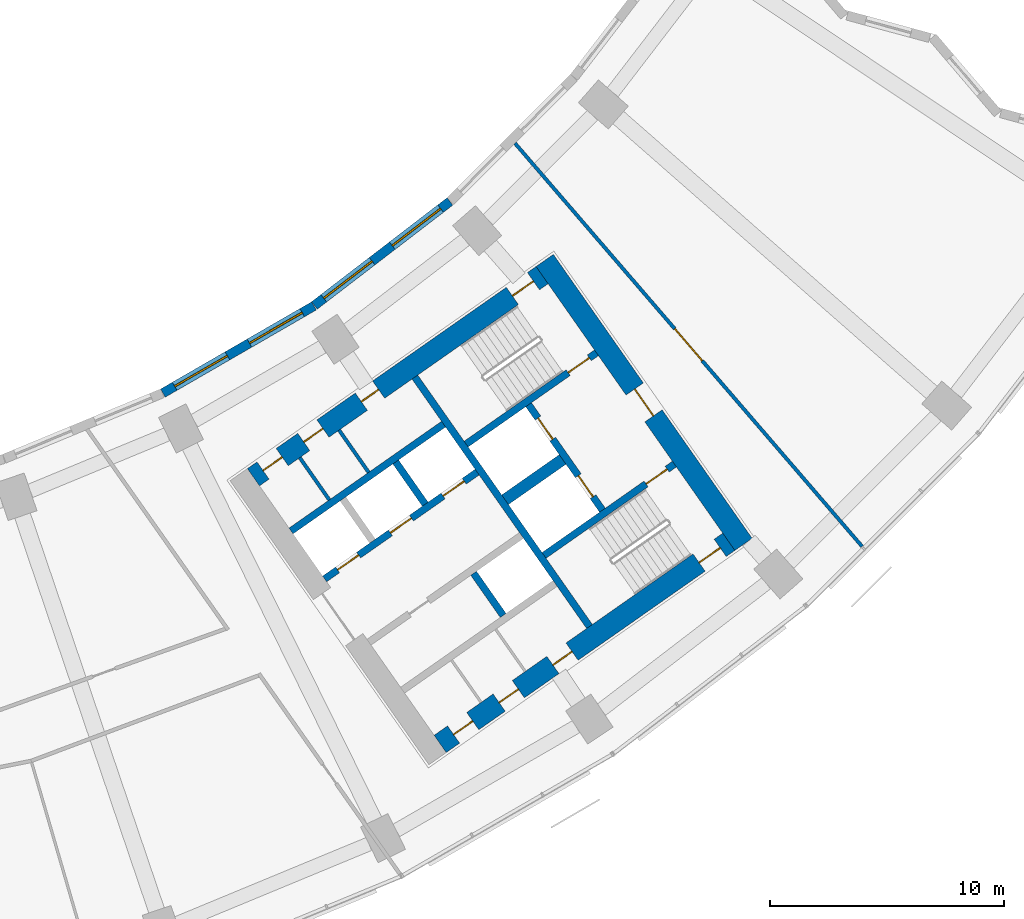
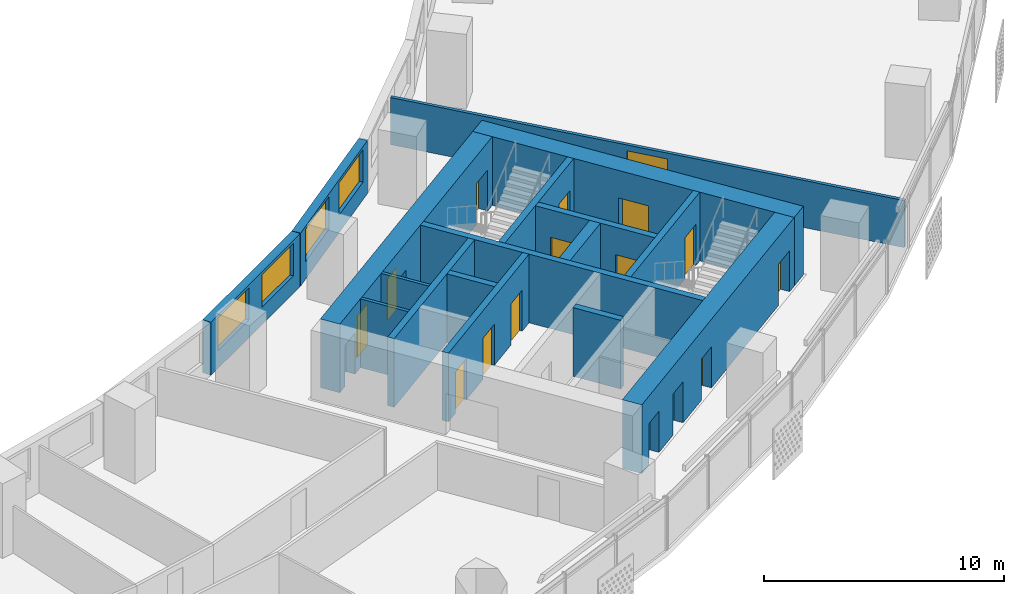
# One storey, part 7 of 29: 17 doors, 17 walls, 4 windows, 21 openings.
"""IFC4 building model written with IfcOpenShell, lengths in metres."""

from ifc_helpers import new_model, si_unit, direction, frame, frame_2d, origin, place, context, subcontext, project, spatial, rectangle, extrude, material, layer, layer_set, type_object, element, fill, save


model = new_model("IFC4")

# Units and contexts
model_context = context("Model", 3, precision=1e-05, world=origin(), true_north=direction((0.0, 1.0)))
body_context = subcontext(model_context, "Body", "Model", "MODEL_VIEW")
ifc_project = project(units=[si_unit("LENGTHUNIT", "METRE"), si_unit("AREAUNIT", "SQUARE_METRE"), si_unit("VOLUMEUNIT", "CUBIC_METRE"), si_unit("PLANEANGLEUNIT", "RADIAN"), si_unit("MASSUNIT", "GRAM", prefix="KILO")], contexts=[model_context])

# Site, building, storey
site_placement = place(None, origin())
site = spatial("IfcSite", under=ifc_project, at=site_placement, CompositionType="ELEMENT")
building_placement = place(site_placement, origin())
building = spatial("IfcBuilding", under=site, at=building_placement, Name="Qamariyya Broadcast Tower", CompositionType="ELEMENT")
storey_placement = place(building_placement, frame((0.0, 0.0, 44.300048828125)))
storey = spatial("IfcBuildingStorey", under=building, at=storey_placement, Name="L07", CompositionType="ELEMENT", Elevation=44.300048828125)

# Wall, opening, door
ifc_material_1 = material(Name="Concrete C70/85", Category="concrete")
ifc_layer_1 = layer(ifc_material_1, 0.89990234375)
ifc_layer_set_1 = layer_set([ifc_layer_1], Name="Core wall 900 mm Concrete C70/85")
wall_type_1 = type_object("IfcWallType", Name="Core wall 900 mm Concrete C70/85", PredefinedType="SHEAR", material=ifc_layer_set_1)
wall_1_placement = place(storey_placement, frame((49.778564453125, -57.191162109375, 0.0), z_axis=(0.0, 0.0, 1.0), x_axis=(-0.573577477574, 0.819151315216, 0.0)))
wall_1 = element("IfcWall", 1, at=wall_1_placement, inside=storey, type_object=wall_type_1, Name="k-E-L07-WH", PredefinedType="SHEAR", context=body_context, shape_type="SweptSolid", body=[
    extrude(rectangle(XDim=14.800048828125, YDim=0.89990234375, at=frame_2d((7.39990234375, 0.0))), origin(), (0.0, 0.0, 1.0), 3.5),
])
opening_1_placement = place(wall_1_placement, frame((6.699951171875, 0.0, 0.0)))
opening_1 = element("IfcOpeningElement", 2, at=opening_1_placement, cuts=wall_1, Name="Opening KD2-E1", PredefinedType="OPENING", context=body_context, shape_type="SweptSolid", body=[
    extrude(rectangle(XDim=1.39990234375, YDim=2.10009765625, at=frame_2d((0.699951171875, 1.050048828125))), frame((0.0, 0.4599609375, 0.0), z_axis=(0.0, -1.0, 0.0), x_axis=(1.0, 0.0, 0.0)), (0.0, 0.0, 1.0), 0.919921875),
])
ifc_material_2 = material(Name="Steel fire-resisting door leaf", Category="steel")
door_type_1 = type_object("IfcDoorType", Name="Fire-fighting lobby door KD2", OperationType="DOUBLE_DOOR_SINGLE_SWING", PredefinedType="DOOR", material=ifc_material_2)
door_1_placement = place(opening_1_placement, origin())
door_1 = element("IfcDoor", 3, at=door_1_placement, inside=storey, type_object=door_type_1, Name="k-E-L07-WH-D14", OperationType="DOUBLE_DOOR_SINGLE_SWING", OverallHeight=2.10009765625, OverallWidth=1.39990234375, PredefinedType="DOOR", context=body_context, shape_type="SweptSolid", body=[
    extrude(rectangle(XDim=1.39990234375, YDim=2.10009765625, at=frame_2d((0.699951171875, 1.050048828125))), frame((0.0, 0.02490234375, 0.0), z_axis=(0.0, -1.0, 0.0), x_axis=(1.0, 0.0, 0.0)), (0.0, 0.0, 1.0), 0.050048828125),
])
fill(opening_1, door_1)

# Wall, openings, doors
wall_2_placement = place(storey_placement, frame((28.8544921875, -54.32421875, 0.0), z_axis=(0.0, 0.0, 1.0), x_axis=(0.819145767589, 0.573585400304, 0.0)))
wall_2 = element("IfcWall", 4, at=wall_2_placement, inside=storey, type_object=wall_type_1, Name="k-E-L07-WI", PredefinedType="SHEAR", context=body_context, shape_type="SweptSolid", body=[
    extrude(rectangle(XDim=15.04541015625, YDim=0.89990234375, at=frame_2d((7.522705078125, 0.0))), origin(), (0.0, 0.0, 1.0), 3.5),
])
opening_2_placement = place(wall_2_placement, frame((0.5, 0.0, 0.0)))
opening_2 = element("IfcOpeningElement", 5, at=opening_2_placement, cuts=wall_2, Name="Opening KD6-E2", PredefinedType="OPENING", context=body_context, shape_type="SweptSolid", body=[
    extrude(rectangle(XDim=1.0, YDim=2.10009765625, at=frame_2d((0.5, 1.050048828125))), frame((0.0, 0.4599609375, 0.0), z_axis=(0.0, -1.0, 0.0), x_axis=(1.0, 0.0, 0.0)), (0.0, 0.0, 1.0), 0.919921875),
])
opening_3_placement = place(wall_2_placement, frame((2.625, 0.0, 0.0)))
opening_3 = element("IfcOpeningElement", 6, at=opening_3_placement, cuts=wall_2, Name="Opening KD7-E1", PredefinedType="OPENING", context=body_context, shape_type="SweptSolid", body=[
    extrude(rectangle(XDim=1.0, YDim=2.10009765625, at=frame_2d((0.5, 1.050048828125))), frame((0.0, 0.4599609375, 0.0), z_axis=(0.0, -1.0, 0.0), x_axis=(1.0, 0.0, 0.0)), (0.0, 0.0, 1.0), 0.919921875),
])
opening_4_placement = place(wall_2_placement, frame((5.625, 0.0, 0.0)))
opening_4 = element("IfcOpeningElement", 7, at=opening_4_placement, cuts=wall_2, Name="Opening KD5-E1", PredefinedType="OPENING", context=body_context, shape_type="SweptSolid", body=[
    extrude(rectangle(XDim=0.89990234375, YDim=2.10009765625, at=frame_2d((0.449951171875, 1.050048828125))), frame((0.0, 0.4599609375, 0.0), z_axis=(0.0, -1.0, 0.0), x_axis=(1.0, 0.0, 0.0)), (0.0, 0.0, 1.0), 0.919921875),
])
opening_5_placement = place(wall_2_placement, frame((13.495361328125, 0.0, 0.0)))
opening_5 = element("IfcOpeningElement", 8, at=opening_5_placement, cuts=wall_2, Name="Opening KD1-E1", PredefinedType="OPENING", context=body_context, shape_type="SweptSolid", body=[
    extrude(rectangle(XDim=1.10009765625, YDim=2.10009765625, at=frame_2d((0.550048828125, 1.050048828125))), frame((0.0, 0.4599609375, 0.0), z_axis=(0.0, -1.0, 0.0), x_axis=(1.0, 0.0, 0.0)), (0.0, 0.0, 1.0), 0.919921875),
])
door_type_2 = type_object("IfcDoorType", Name="Accessible toilet door KD7", OperationType="SINGLE_SWING_LEFT", PredefinedType="DOOR", material=ifc_material_2)
door_2_placement = place(opening_3_placement, origin())
door_2 = element("IfcDoor", 9, at=door_2_placement, inside=storey, type_object=door_type_2, Name="k-E-L07-WI-D7", OperationType="SINGLE_SWING_LEFT", OverallHeight=2.10009765625, OverallWidth=1.0, PredefinedType="DOOR", context=body_context, shape_type="SweptSolid", body=[
    extrude(rectangle(XDim=1.0, YDim=2.10009765625, at=frame_2d((0.5, 1.050048828125))), frame((0.0, 0.02490234375, 0.0), z_axis=(0.0, -1.0, 0.0), x_axis=(1.0, 0.0, 0.0)), (0.0, 0.0, 1.0), 0.050048828125),
])
fill(opening_3, door_2)
door_type_3 = type_object("IfcDoorType", Name="Core room door KD6", OperationType="SINGLE_SWING_LEFT", PredefinedType="DOOR", material=ifc_material_2)
door_3_placement = place(opening_2_placement, origin())
door_3 = element("IfcDoor", 10, at=door_3_placement, inside=storey, type_object=door_type_3, Name="k-E-L07-WI-D6", OperationType="SINGLE_SWING_RIGHT", OverallHeight=2.10009765625, OverallWidth=1.0, PredefinedType="DOOR", context=body_context, shape_type="SweptSolid", body=[
    extrude(rectangle(XDim=1.0, YDim=2.10009765625, at=frame_2d((0.5, 1.050048828125))), frame((0.0, 0.02490234375, 0.0), z_axis=(0.0, -1.0, 0.0), x_axis=(1.0, 0.0, 0.0)), (0.0, 0.0, 1.0), 0.050048828125),
])
fill(opening_2, door_3)
door_type_4 = type_object("IfcDoorType", Name="Stair door KD1", OperationType="SINGLE_SWING_LEFT", PredefinedType="DOOR", material=ifc_material_2)
door_4_placement = place(opening_5_placement, origin())
door_4 = element("IfcDoor", 11, at=door_4_placement, inside=storey, type_object=door_type_4, Name="k-E-L07-WI-D15", OperationType="SINGLE_SWING_RIGHT", OverallHeight=2.10009765625, OverallWidth=1.10009765625, PredefinedType="DOOR", context=body_context, shape_type="SweptSolid", body=[
    extrude(rectangle(XDim=1.10009765625, YDim=2.10009765625, at=frame_2d((0.550048828125, 1.050048828125))), frame((0.0, 0.02490234375, 0.0), z_axis=(0.0, -1.0, 0.0), x_axis=(1.0, 0.0, 0.0)), (0.0, 0.0, 1.0), 0.050048828125),
])
fill(opening_5, door_4)
door_type_5 = type_object("IfcDoorType", Name="Toilet door KD5", OperationType="SINGLE_SWING_LEFT", PredefinedType="DOOR", material=ifc_material_2)
door_5_placement = place(opening_4_placement, origin())
door_5 = element("IfcDoor", 12, at=door_5_placement, inside=storey, type_object=door_type_5, Name="k-E-L07-WI-D8", OperationType="SINGLE_SWING_RIGHT", OverallHeight=2.10009765625, OverallWidth=0.89990234375, PredefinedType="DOOR", context=body_context, shape_type="SweptSolid", body=[
    extrude(rectangle(XDim=0.89990234375, YDim=2.10009765625, at=frame_2d((0.449951171875, 1.050048828125))), frame((0.0, 0.02490234375, 0.0), z_axis=(0.0, -1.0, 0.0), x_axis=(1.0, 0.0, 0.0)), (0.0, 0.0, 1.0), 0.050048828125),
])
fill(opening_4, door_5)

wall_3_placement = place(storey_placement, frame((36.827392578125, -65.710205078125, 0.0), z_axis=(0.0, 0.0, 1.0), x_axis=(0.819153391756, 0.573574511963, 0.0)))
wall_3 = element("IfcWall", 13, at=wall_3_placement, inside=storey, type_object=wall_type_1, Name="k-E-L07-WO", PredefinedType="SHEAR", context=body_context, shape_type="SweptSolid", body=[
    extrude(rectangle(XDim=15.04541015625, YDim=0.89990234375, at=frame_2d((7.522705078125, 0.0))), origin(), (0.0, 0.0, 1.0), 3.5),
])
opening_6_placement = place(wall_3_placement, frame((0.699951171875, 0.0, 0.0)))
opening_6 = element("IfcOpeningElement", 14, at=opening_6_placement, cuts=wall_3, Name="Opening KD6-E3", PredefinedType="OPENING", context=body_context, shape_type="SweptSolid", body=[
    extrude(rectangle(XDim=1.0, YDim=2.10009765625, at=frame_2d((0.5, 1.050048828125))), frame((0.0, 0.4599609375, 0.0), z_axis=(0.0, -1.0, 0.0), x_axis=(1.0, 0.0, 0.0)), (0.0, 0.0, 1.0), 0.919921875),
])
opening_7_placement = place(wall_3_placement, frame((3.074951171875, 0.0, 0.0)))
opening_7 = element("IfcOpeningElement", 15, at=opening_7_placement, cuts=wall_3, Name="Opening KD4-E1", PredefinedType="OPENING", context=body_context, shape_type="SweptSolid", body=[
    extrude(rectangle(XDim=1.0, YDim=2.10009765625, at=frame_2d((0.5, 1.050048828125))), frame((0.0, 0.4599609375, 0.0), z_axis=(0.0, -1.0, 0.0), x_axis=(1.0, 0.0, 0.0)), (0.0, 0.0, 1.0), 0.919921875),
])
opening_8_placement = place(wall_3_placement, frame((5.875, 0.0, 0.0)))
opening_8 = element("IfcOpeningElement", 16, at=opening_8_placement, cuts=wall_3, Name="Opening KD4-E2", PredefinedType="OPENING", context=body_context, shape_type="SweptSolid", body=[
    extrude(rectangle(XDim=1.0, YDim=2.10009765625, at=frame_2d((0.5, 1.050048828125))), frame((0.0, 0.4599609375, 0.0), z_axis=(0.0, -1.0, 0.0), x_axis=(1.0, 0.0, 0.0)), (0.0, 0.0, 1.0), 0.919921875),
])
opening_9_placement = place(wall_3_placement, frame((13.495361328125, 0.0, 0.0)))
opening_9 = element("IfcOpeningElement", 17, at=opening_9_placement, cuts=wall_3, Name="Opening KD1-E3", PredefinedType="OPENING", context=body_context, shape_type="SweptSolid", body=[
    extrude(rectangle(XDim=1.10009765625, YDim=2.10009765625, at=frame_2d((0.550048828125, 1.050048828125))), frame((0.0, 0.4599609375, 0.0), z_axis=(0.0, -1.0, 0.0), x_axis=(1.0, 0.0, 0.0)), (0.0, 0.0, 1.0), 0.919921875),
])
door_6_placement = place(opening_6_placement, origin())
door_6 = element("IfcDoor", 18, at=door_6_placement, inside=storey, type_object=door_type_3, Name="k-E-L07-WO-D9", OperationType="SINGLE_SWING_LEFT", OverallHeight=2.10009765625, OverallWidth=1.0, PredefinedType="DOOR", context=body_context, shape_type="SweptSolid", body=[
    extrude(rectangle(XDim=1.0, YDim=2.10009765625, at=frame_2d((0.5, 1.050048828125))), frame((0.0, 0.02490234375, 0.0), z_axis=(0.0, -1.0, 0.0), x_axis=(1.0, 0.0, 0.0)), (0.0, 0.0, 1.0), 0.050048828125),
])
fill(opening_6, door_6)
door_type_6 = type_object("IfcDoorType", Name="Riser and plant door KD4", OperationType="SINGLE_SWING_LEFT", PredefinedType="DOOR", material=ifc_material_2)
door_7_placement = place(opening_7_placement, origin())
door_7 = element("IfcDoor", 19, at=door_7_placement, inside=storey, type_object=door_type_6, Name="k-E-L07-WO-D10", OperationType="SINGLE_SWING_RIGHT", OverallHeight=2.10009765625, OverallWidth=1.0, PredefinedType="DOOR", context=body_context, shape_type="SweptSolid", body=[
    extrude(rectangle(XDim=1.0, YDim=2.10009765625, at=frame_2d((0.5, 1.050048828125))), frame((0.0, 0.02490234375, 0.0), z_axis=(0.0, -1.0, 0.0), x_axis=(1.0, 0.0, 0.0)), (0.0, 0.0, 1.0), 0.050048828125),
])
fill(opening_7, door_7)
door_8_placement = place(opening_8_placement, origin())
door_8 = element("IfcDoor", 20, at=door_8_placement, inside=storey, type_object=door_type_6, Name="k-E-L07-WO-D11", OperationType="SINGLE_SWING_LEFT", OverallHeight=2.10009765625, OverallWidth=1.0, PredefinedType="DOOR", context=body_context, shape_type="SweptSolid", body=[
    extrude(rectangle(XDim=1.0, YDim=2.10009765625, at=frame_2d((0.5, 1.050048828125))), frame((0.0, 0.02490234375, 0.0), z_axis=(0.0, -1.0, 0.0), x_axis=(1.0, 0.0, 0.0)), (0.0, 0.0, 1.0), 0.050048828125),
])
fill(opening_8, door_8)
door_9_placement = place(opening_9_placement, origin())
door_9 = element("IfcDoor", 21, at=door_9_placement, inside=storey, type_object=door_type_4, Name="k-E-L07-WO-D17", OperationType="SINGLE_SWING_LEFT", OverallHeight=2.10009765625, OverallWidth=1.10009765625, PredefinedType="DOOR", context=body_context, shape_type="SweptSolid", body=[
    extrude(rectangle(XDim=1.10009765625, YDim=2.10009765625, at=frame_2d((0.550048828125, 1.050048828125))), frame((0.0, 0.02490234375, 0.0), z_axis=(0.0, -1.0, 0.0), x_axis=(1.0, 0.0, 0.0)), (0.0, 0.0, 1.0), 0.050048828125),
])
fill(opening_9, door_9)

# Wall, opening, door
ifc_material_3 = material(Name="Gypsum board partition")
ifc_layer_2 = layer(ifc_material_3, 0.14990234375)
ifc_layer_set_2 = layer_set([ifc_layer_2], Name="Corridor partition 150 EI 60")
wall_type_2 = type_object("IfcWallType", Name="Corridor partition 150 EI 60", PredefinedType="PARTITIONING", material=ifc_layer_set_2)
wall_4_placement = place(storey_placement, frame((40.021240234375, -40.063232421875, 0.0), z_axis=(0.0, 0.0, 1.0), x_axis=(0.652471531746, -0.757813235739, 0.0)))
wall_4 = element("IfcWall", 22, at=wall_4_placement, inside=storey, type_object=wall_type_2, Name="Partition L07-033", PredefinedType="PARTITIONING", context=body_context, shape_type="SweptSolid", body=[
    extrude(rectangle(XDim=22.71484375, YDim=0.14990234375, at=frame_2d((11.357421875, 0.0))), origin(), (0.0, 0.0, 1.0), 2.39990234375),
])
opening_10_placement = place(wall_4_placement, frame((10.45751953125, 0.0, 0.0)))
opening_10 = element("IfcOpeningElement", 23, at=opening_10_placement, cuts=wall_4, Name="Opening L07-D16", PredefinedType="OPENING", context=body_context, shape_type="SweptSolid", body=[
    extrude(rectangle(XDim=1.800048828125, YDim=2.10009765625, at=frame_2d((0.89990234375, 1.050048828125))), frame((0.0, 0.0849609375, 0.0), z_axis=(0.0, -1.0, 0.0), x_axis=(1.0, 0.0, 0.0)), (0.0, 0.0, 1.0), 0.169921875),
])
ifc_material_4 = material(Name="Timber fire door leaf", Category="wood")
door_type_7 = type_object("IfcDoorType", Name="Double fire door 1800 x 2100 FD60", OperationType="NOTDEFINED", PredefinedType="DOOR", material=ifc_material_4)
door_10_placement = place(opening_10_placement, origin())
door_10 = element("IfcDoor", 24, at=door_10_placement, inside=storey, type_object=door_type_7, Name="Door L07-D16", OperationType="DOUBLE_DOOR_SINGLE_SWING", OverallHeight=2.10009765625, OverallWidth=1.800048828125, PredefinedType="DOOR", context=body_context, shape_type="SweptSolid", body=[
    extrude(rectangle(XDim=1.800048828125, YDim=2.10009765625, at=frame_2d((0.89990234375, 1.050048828125))), frame((0.0, 0.02490234375, 0.0), z_axis=(0.0, -1.0, 0.0), x_axis=(1.0, 0.0, 0.0)), (0.0, 0.0, 1.0), 0.050048828125),
])
fill(opening_10, door_10)

# Walls
ifc_material_5 = material(Name="Concrete C60/75", Category="concrete")
ifc_layer_3 = layer(ifc_material_5, 0.5)
ifc_layer_set_3 = layer_set([ifc_layer_3], Name="Fire-fighting lobby divider wall 500 mm Concrete C60/75")
wall_type_3 = type_object("IfcWallType", Name="Fire-fighting lobby divider wall 500 mm Concrete C60/75", PredefinedType="SOLIDWALL", material=ifc_layer_set_3)
wall_5_placement = place(storey_placement, frame((39.59912109375, -55.28515625, 0.0), z_axis=(0.0, 0.0, 1.0), x_axis=(0.819136323161, 0.573598887793, 0.0)))
element("IfcWall", 25, at=wall_5_placement, inside=storey, type_object=wall_type_3, Name="k-E-L07-FD", PredefinedType="SOLIDWALL", context=body_context, shape_type="SweptSolid", body=[
    extrude(rectangle(XDim=2.999755859375, YDim=0.5, at=frame_2d((1.5, 0.0))), origin(), (0.0, 0.0, 1.0), 3.5),
])
ifc_material_6 = material(Name="Gypsum board partition on steel studs", Category="steel")
ifc_layer_4 = layer(ifc_material_6, 0.14990234375)
ifc_layer_set_4 = layer_set([ifc_layer_4], Name="Gypsum board partition 150 mm")
wall_type_4 = type_object("IfcWallType", Name="Gypsum board partition 150 mm", PredefinedType="PARTITIONING", material=ifc_layer_set_4)
wall_6_placement = place(storey_placement, frame((32.0947265625, -55.290283203125, 0.0), z_axis=(0.0, 0.0, 1.0), x_axis=(-0.573559170999, 0.819164133348, 0.0)))
element("IfcWall", 26, at=wall_6_placement, inside=storey, type_object=wall_type_4, Name="k-E-L07-NP210", PredefinedType="PARTITIONING", context=body_context, shape_type="SweptSolid", body=[
    extrude(rectangle(XDim=2.19970703125, YDim=0.14990234375, at=frame_2d((1.099853515625, 0.0))), origin(), (0.0, 0.0, 1.0), 3.5),
])
wall_7_placement = place(storey_placement, frame((33.774169921875, -54.114501953125, 0.0), z_axis=(0.0, 0.0, 1.0), x_axis=(-0.573581496053, 0.819148501424, 0.0)))
element("IfcWall", 27, at=wall_7_placement, inside=storey, type_object=wall_type_4, Name="k-E-L07-NP415", PredefinedType="PARTITIONING", context=body_context, shape_type="SweptSolid", body=[
    extrude(rectangle(XDim=2.2001953125, YDim=0.14990234375, at=frame_2d((1.10009765625, 0.0))), origin(), (0.0, 0.0, 1.0), 3.5),
])
ifc_layer_5 = layer(ifc_material_5, 0.300048828125)
ifc_layer_set_5 = layer_set([ifc_layer_5], Name="Lift shaft wall 300 mm Concrete C60/75")
wall_type_5 = type_object("IfcWallType", Name="Lift shaft wall 300 mm Concrete C60/75", PredefinedType="SOLIDWALL", material=ifc_layer_set_5)
wall_8_placement = place(storey_placement, frame((43.204345703125, -60.69580078125, 0.0), z_axis=(0.0, 0.0, 1.0), x_axis=(-0.573571992966, 0.819155155563, 0.0)))
element("IfcWall", 28, at=wall_8_placement, inside=storey, type_object=wall_type_5, Name="k-E-L07-WL", PredefinedType="SOLIDWALL", context=body_context, shape_type="SweptSolid", body=[
    extrude(rectangle(XDim=13.000244140625, YDim=0.300048828125, at=frame_2d((6.5, 0.0))), origin(), (0.0, 0.0, 1.0), 3.5),
])

# Wall, openings, doors
wall_9_placement = place(storey_placement, frame((31.89453125, -58.66552734375, 0.0), z_axis=(0.0, 0.0, 1.0), x_axis=(0.819166993208, 0.573555086491, 0.0)))
wall_9 = element("IfcWall", 29, at=wall_9_placement, inside=storey, type_object=wall_type_5, Name="k-E-L07-NF0", PredefinedType="SOLIDWALL", context=body_context, shape_type="SweptSolid", body=[
    extrude(rectangle(XDim=7.9501953125, YDim=0.300048828125, at=frame_2d((3.97509765625, 0.0))), origin(), (0.0, 0.0, 1.0), 3.5),
])
opening_11_placement = place(wall_9_placement, frame((0.675048828125, 0.0, 0.0)))
opening_11 = element("IfcOpeningElement", 30, at=opening_11_placement, cuts=wall_9, Name="Opening LD", PredefinedType="OPENING", context=body_context, shape_type="SweptSolid", body=[
    extrude(rectangle(XDim=1.10009765625, YDim=2.10009765625, at=frame_2d((0.550048828125, 1.050048828125))), frame((0.0, 0.159912109375, 0.0), z_axis=(0.0, -1.0, 0.0), x_axis=(1.0, 0.0, 0.0)), (0.0, 0.0, 1.0), 0.320068359375),
])
opening_12_placement = place(wall_9_placement, frame((3.425048828125, 0.0, 0.0)))
opening_12 = element("IfcOpeningElement", 31, at=opening_12_placement, cuts=wall_9, Name="Opening LD", PredefinedType="OPENING", context=body_context, shape_type="SweptSolid", body=[
    extrude(rectangle(XDim=1.10009765625, YDim=2.10009765625, at=frame_2d((0.550048828125, 1.050048828125))), frame((0.0, 0.159912109375, 0.0), z_axis=(0.0, -1.0, 0.0), x_axis=(1.0, 0.0, 0.0)), (0.0, 0.0, 1.0), 0.320068359375),
])
opening_13_placement = place(wall_9_placement, frame((6.175048828125, 0.0, 0.0)))
opening_13 = element("IfcOpeningElement", 32, at=opening_13_placement, cuts=wall_9, Name="Opening LD", PredefinedType="OPENING", context=body_context, shape_type="SweptSolid", body=[
    extrude(rectangle(XDim=1.10009765625, YDim=2.10009765625, at=frame_2d((0.550048828125, 1.050048828125))), frame((0.0, 0.159912109375, 0.0), z_axis=(0.0, -1.0, 0.0), x_axis=(1.0, 0.0, 0.0)), (0.0, 0.0, 1.0), 0.320068359375),
])
door_type_8 = type_object("IfcDoorType", Name="Lift landing door LD", OperationType="DOUBLE_DOOR_SLIDING", PredefinedType="DOOR", material=ifc_material_2)
door_11_placement = place(opening_11_placement, origin())
door_11 = element("IfcDoor", 33, at=door_11_placement, inside=storey, type_object=door_type_8, Name="k-E-L07-NF0-D2", OperationType="DOUBLE_DOOR_SLIDING", OverallHeight=2.10009765625, OverallWidth=1.10009765625, PredefinedType="DOOR", context=body_context, shape_type="SweptSolid", body=[
    extrude(rectangle(XDim=1.10009765625, YDim=2.10009765625, at=frame_2d((0.550048828125, 1.050048828125))), frame((0.0, 0.02490234375, 0.0), z_axis=(0.0, -1.0, 0.0), x_axis=(1.0, 0.0, 0.0)), (0.0, 0.0, 1.0), 0.050048828125),
])
fill(opening_11, door_11)
door_12_placement = place(opening_12_placement, origin())
door_12 = element("IfcDoor", 34, at=door_12_placement, inside=storey, type_object=door_type_8, Name="k-E-L07-NF0-D3", OperationType="DOUBLE_DOOR_SLIDING", OverallHeight=2.10009765625, OverallWidth=1.10009765625, PredefinedType="DOOR", context=body_context, shape_type="SweptSolid", body=[
    extrude(rectangle(XDim=1.10009765625, YDim=2.10009765625, at=frame_2d((0.550048828125, 1.050048828125))), frame((0.0, 0.02490234375, 0.0), z_axis=(0.0, -1.0, 0.0), x_axis=(1.0, 0.0, 0.0)), (0.0, 0.0, 1.0), 0.050048828125),
])
fill(opening_12, door_12)
door_13_placement = place(opening_13_placement, origin())
door_13 = element("IfcDoor", 35, at=door_13_placement, inside=storey, type_object=door_type_8, Name="k-E-L07-NF0-D4", OperationType="DOUBLE_DOOR_SLIDING", OverallHeight=2.10009765625, OverallWidth=1.10009765625, PredefinedType="DOOR", context=body_context, shape_type="SweptSolid", body=[
    extrude(rectangle(XDim=1.10009765625, YDim=2.10009765625, at=frame_2d((0.550048828125, 1.050048828125))), frame((0.0, 0.02490234375, 0.0), z_axis=(0.0, -1.0, 0.0), x_axis=(1.0, 0.0, 0.0)), (0.0, 0.0, 1.0), 0.050048828125),
])
fill(opening_13, door_13)

# Walls
wall_10_placement = place(storey_placement, frame((30.460693359375, -56.61767578125, 0.0), z_axis=(0.0, 0.0, 1.0), x_axis=(0.819142461705, 0.573590121456, 0.0)))
element("IfcWall", 36, at=wall_10_placement, inside=storey, type_object=wall_type_5, Name="k-E-L07-NB0", PredefinedType="SOLIDWALL", context=body_context, shape_type="SweptSolid", body=[
    extrude(rectangle(XDim=7.949951171875, YDim=0.300048828125, at=frame_2d((3.97509765625, 0.0))), origin(), (0.0, 0.0, 1.0), 3.5),
])
for number, where, z_axis, x_axis, name in (
    (37, (36.19091796875, -55.47412109375, 0.0), (0.0, 0.0, 1.0), (-0.573507030513, 0.819200638399, 0.0), "k-E-L07-ND1"),
    (38, (38.255859375, -58.423095703125, 0.0), (0.0, 0.0, 1.0), (0.573633636671, -0.819111989218, 0.0), "k-E-L07-SD1"),
):
    element("IfcWall", number, at=place(storey_placement, frame(where, z_axis=z_axis, x_axis=x_axis)), inside=storey, type_object=wall_type_5, Name=name, PredefinedType="SOLIDWALL", context=body_context, shape_type="SweptSolid", body=[
        extrude(rectangle(XDim=2.199951171875, YDim=0.300048828125, at=frame_2d((1.10009765625, 0.0))), origin(), (0.0, 0.0, 1.0), 3.5),
    ])

# Wall, opening, door
wall_11_placement = place(storey_placement, frame((37.935546875, -52.90966796875, 0.0), z_axis=(0.0, 0.0, 1.0), x_axis=(0.819147518138, 0.57358290031, 0.0)))
wall_11 = element("IfcWall", 39, at=wall_11_placement, inside=storey, type_object=wall_type_5, Name="k-E-L07-NW", PredefinedType="SOLIDWALL", context=body_context, shape_type="SweptSolid", body=[
    extrude(rectangle(XDim=6.79541015625, YDim=0.300048828125, at=frame_2d((3.397705078125, 0.0))), origin(), (0.0, 0.0, 1.0), 3.5),
])
opening_14_placement = place(wall_11_placement, frame((5.3203125, 0.0, 0.0)))
opening_14 = element("IfcOpeningElement", 40, at=opening_14_placement, cuts=wall_11, Name="Opening KD1-E2", PredefinedType="OPENING", context=body_context, shape_type="SweptSolid", body=[
    extrude(rectangle(XDim=1.10009765625, YDim=2.10009765625, at=frame_2d((0.550048828125, 1.050048828125))), frame((0.0, 0.159912109375, 0.0), z_axis=(0.0, -1.0, 0.0), x_axis=(1.0, 0.0, 0.0)), (0.0, 0.0, 1.0), 0.320068359375),
])
door_14_placement = place(opening_14_placement, origin())
door_14 = element("IfcDoor", 41, at=door_14_placement, inside=storey, type_object=door_type_4, Name="k-E-L07-NW-D16", OperationType="SINGLE_SWING_RIGHT", OverallHeight=2.10009765625, OverallWidth=1.10009765625, PredefinedType="DOOR", context=body_context, shape_type="SweptSolid", body=[
    extrude(rectangle(XDim=1.10009765625, YDim=2.10009765625, at=frame_2d((0.550048828125, 1.050048828125))), frame((0.0, 0.02490234375, 0.0), z_axis=(0.0, -1.0, 0.0), x_axis=(1.0, 0.0, 0.0)), (0.0, 0.0, 1.0), 0.050048828125),
])
fill(opening_14, door_14)

wall_12_placement = place(storey_placement, frame((41.262451171875, -57.66064453125, 0.0), z_axis=(0.0, 0.0, 1.0), x_axis=(0.819164398642, 0.573558792102, 0.0)))
wall_12 = element("IfcWall", 42, at=wall_12_placement, inside=storey, type_object=wall_type_5, Name="k-E-L07-SW", PredefinedType="SOLIDWALL", context=body_context, shape_type="SweptSolid", body=[
    extrude(rectangle(XDim=6.795166015625, YDim=0.300048828125, at=frame_2d((3.3974609375, 0.0))), origin(), (0.0, 0.0, 1.0), 3.5),
])
opening_15_placement = place(wall_12_placement, frame((5.3203125, 0.0, 0.0)))
opening_15 = element("IfcOpeningElement", 43, at=opening_15_placement, cuts=wall_12, Name="Opening KD1-E4", PredefinedType="OPENING", context=body_context, shape_type="SweptSolid", body=[
    extrude(rectangle(XDim=1.10009765625, YDim=2.10009765625, at=frame_2d((0.550048828125, 1.050048828125))), frame((0.0, 0.159912109375, 0.0), z_axis=(0.0, -1.0, 0.0), x_axis=(1.0, 0.0, 0.0)), (0.0, 0.0, 1.0), 0.320068359375),
])
door_15_placement = place(opening_15_placement, origin())
door_15 = element("IfcDoor", 44, at=door_15_placement, inside=storey, type_object=door_type_4, Name="k-E-L07-SW-D18", OperationType="SINGLE_SWING_RIGHT", OverallHeight=2.10009765625, OverallWidth=1.10009765625, PredefinedType="DOOR", context=body_context, shape_type="SweptSolid", body=[
    extrude(rectangle(XDim=1.10009765625, YDim=2.10009765625, at=frame_2d((0.550048828125, 1.050048828125))), frame((0.0, 0.02490234375, 0.0), z_axis=(0.0, -1.0, 0.0), x_axis=(1.0, 0.0, 0.0)), (0.0, 0.0, 1.0), 0.050048828125),
])
fill(opening_15, door_15)

# Wall, openings, doors
wall_13_placement = place(storey_placement, frame((43.756591796875, -55.731201171875, 0.0), z_axis=(0.0, 0.0, 1.0), x_axis=(-0.573536818435, 0.819179783625, 0.0)))
wall_13 = element("IfcWall", 45, at=wall_13_placement, inside=storey, type_object=wall_type_5, Name="k-E-L07-FF", PredefinedType="SOLIDWALL", context=body_context, shape_type="SweptSolid", body=[
    extrude(rectangle(XDim=5.500244140625, YDim=0.300048828125, at=frame_2d((2.75, 0.0))), origin(), (0.0, 0.0, 1.0), 3.5),
])
opening_16_placement = place(wall_13_placement, frame((0.699951171875, 0.0, 0.0)))
opening_16 = element("IfcOpeningElement", 46, at=opening_16_placement, cuts=wall_13, Name="Opening LD", PredefinedType="OPENING", context=body_context, shape_type="SweptSolid", body=[
    extrude(rectangle(XDim=1.10009765625, YDim=2.10009765625, at=frame_2d((0.550048828125, 1.050048828125))), frame((0.0, 0.159912109375, 0.0), z_axis=(0.0, -1.0, 0.0), x_axis=(1.0, 0.0, 0.0)), (0.0, 0.0, 1.0), 0.320068359375),
])
opening_17_placement = place(wall_13_placement, frame((3.699951171875, 0.0, 0.0)))
opening_17 = element("IfcOpeningElement", 47, at=opening_17_placement, cuts=wall_13, Name="Opening LD", PredefinedType="OPENING", context=body_context, shape_type="SweptSolid", body=[
    extrude(rectangle(XDim=1.10009765625, YDim=2.10009765625, at=frame_2d((0.550048828125, 1.050048828125))), frame((0.0, 0.159912109375, 0.0), z_axis=(0.0, -1.0, 0.0), x_axis=(1.0, 0.0, 0.0)), (0.0, 0.0, 1.0), 0.320068359375),
])
door_16_placement = place(opening_16_placement, origin())
door_16 = element("IfcDoor", 48, at=door_16_placement, inside=storey, type_object=door_type_8, Name="k-E-L07-FF-D12", OperationType="DOUBLE_DOOR_SLIDING", OverallHeight=2.10009765625, OverallWidth=1.10009765625, PredefinedType="DOOR", context=body_context, shape_type="SweptSolid", body=[
    extrude(rectangle(XDim=1.10009765625, YDim=2.10009765625, at=frame_2d((0.550048828125, 1.050048828125))), frame((0.0, 0.02490234375, 0.0), z_axis=(0.0, -1.0, 0.0), x_axis=(1.0, 0.0, 0.0)), (0.0, 0.0, 1.0), 0.050048828125),
])
fill(opening_16, door_16)
door_17_placement = place(opening_17_placement, origin())
door_17 = element("IfcDoor", 49, at=door_17_placement, inside=storey, type_object=door_type_8, Name="k-E-L07-FF-D13", OperationType="DOUBLE_DOOR_SLIDING", OverallHeight=2.10009765625, OverallWidth=1.10009765625, PredefinedType="DOOR", context=body_context, shape_type="SweptSolid", body=[
    extrude(rectangle(XDim=1.10009765625, YDim=2.10009765625, at=frame_2d((0.550048828125, 1.050048828125))), frame((0.0, 0.02490234375, 0.0), z_axis=(0.0, -1.0, 0.0), x_axis=(1.0, 0.0, 0.0)), (0.0, 0.0, 1.0), 0.050048828125),
])
fill(opening_17, door_17)

# Wall, openings, windows
ifc_material_7 = material(Name="Terracotta", Category="masonry")
ifc_layer_6 = layer(ifc_material_7, 0.39990234375)
ifc_layer_set_6 = layer_set([ifc_layer_6], Name="Terracotta clad wall 400")
wall_type_6 = type_object("IfcWallType", Name="Terracotta clad wall 400", PredefinedType="SOLIDWALL", material=ifc_layer_set_6)
wall_14_placement = place(storey_placement, frame((31.439453125, -47.007568359375, 0.0), z_axis=(0.0, 0.0, 1.0), x_axis=(-0.866037641005, -0.499978803913, 0.0)))
wall_14 = element("IfcWall", 50, at=wall_14_placement, inside=storey, type_object=wall_type_6, Name="e-wl-L07-in120", PredefinedType="SOLIDWALL", context=body_context, shape_type="SweptSolid", body=[
    extrude(rectangle(XDim=7.447021484375, YDim=0.39990234375, at=frame_2d((3.7236328125, 0.0))), origin(), (0.0, 0.0, 1.0), 2.699951171875),
])
opening_18_placement = place(wall_14_placement, frame((4.266357421875, 0.0, 0.89990234375)))
opening_18 = element("IfcOpeningElement", 51, at=opening_18_placement, cuts=wall_14, Name="Opening W1", PredefinedType="OPENING", context=body_context, shape_type="SweptSolid", body=[
    extrude(rectangle(XDim=2.60009765625, YDim=1.64990234375, at=frame_2d((1.300048828125, 0.824951171875))), frame((0.0, 0.2099609375, 0.0), z_axis=(0.0, -1.0, 0.0), x_axis=(1.0, 0.0, 0.0)), (0.0, 0.0, 1.0), 0.419921875),
])
opening_19_placement = place(wall_14_placement, frame((0.580810546875, 0.0, 0.89990234375)))
opening_19 = element("IfcOpeningElement", 52, at=opening_19_placement, cuts=wall_14, Name="Opening W1", PredefinedType="OPENING", context=body_context, shape_type="SweptSolid", body=[
    extrude(rectangle(XDim=2.60009765625, YDim=1.64990234375, at=frame_2d((1.300048828125, 0.824951171875))), frame((0.0, 0.2099609375, 0.0), z_axis=(0.0, -1.0, 0.0), x_axis=(1.0, 0.0, 0.0)), (0.0, 0.0, 1.0), 0.419921875),
])
ifc_material_8 = material(Name="Clear low-e double glazed unit in aluminium frame", Category="aluminium")
window_type = type_object("IfcWindowType", Name="Ribbon window 2600 x 1650", PartitioningType="SINGLE_PANEL", PredefinedType="WINDOW", material=ifc_material_8)
window_1_placement = place(opening_18_placement, origin())
window_1 = element("IfcWindow", 53, at=window_1_placement, inside=storey, type_object=window_type, Name="e-w-L07-in12-0", OverallHeight=1.64990234375, OverallWidth=2.60009765625, PartitioningType="SINGLE_PANEL", PredefinedType="WINDOW", context=body_context, shape_type="SweptSolid", body=[
    extrude(rectangle(XDim=2.60009765625, YDim=1.64990234375, at=frame_2d((1.300048828125, 0.824951171875))), frame((0.0, 0.030029296875, 0.0), z_axis=(0.0, -1.0, 0.0), x_axis=(1.0, 0.0, 0.0)), (0.0, 0.0, 1.0), 0.06005859375),
])
fill(opening_18, window_1)
window_2_placement = place(opening_19_placement, origin())
window_2 = element("IfcWindow", 54, at=window_2_placement, inside=storey, type_object=window_type, Name="e-w-L07-in12-1", OverallHeight=1.64990234375, OverallWidth=2.60009765625, PartitioningType="SINGLE_PANEL", PredefinedType="WINDOW", context=body_context, shape_type="SweptSolid", body=[
    extrude(rectangle(XDim=2.60009765625, YDim=1.64990234375, at=frame_2d((1.300048828125, 0.824951171875))), frame((0.0, 0.030029296875, 0.0), z_axis=(0.0, -1.0, 0.0), x_axis=(1.0, 0.0, 0.0)), (0.0, 0.0, 1.0), 0.06005859375),
])
fill(opening_19, window_2)

wall_15_placement = place(storey_placement, frame((37.24609375, -42.5478515625, 0.0), z_axis=(0.0, 0.0, 1.0), x_axis=(-0.79336607943, -0.60874482668, 0.0)))
wall_15 = element("IfcWall", 55, at=wall_15_placement, inside=storey, type_object=wall_type_6, Name="e-wl-L07-in130", PredefinedType="SOLIDWALL", context=body_context, shape_type="SweptSolid", body=[
    extrude(rectangle(XDim=7.295654296875, YDim=0.39990234375, at=frame_2d((3.64794921875, 0.0))), origin(), (0.0, 0.0, 1.0), 2.699951171875),
])
opening_20_placement = place(wall_15_placement, frame((4.190673828125, 0.0, 0.89990234375)))
opening_20 = element("IfcOpeningElement", 56, at=opening_20_placement, cuts=wall_15, Name="Opening W1", PredefinedType="OPENING", context=body_context, shape_type="SweptSolid", body=[
    extrude(rectangle(XDim=2.60009765625, YDim=1.64990234375, at=frame_2d((1.300048828125, 0.824951171875))), frame((0.0, 0.2099609375, 0.0), z_axis=(0.0, -1.0, 0.0), x_axis=(1.0, 0.0, 0.0)), (0.0, 0.0, 1.0), 0.419921875),
])
opening_21_placement = place(wall_15_placement, frame((0.505126953125, 0.0, 0.89990234375)))
opening_21 = element("IfcOpeningElement", 57, at=opening_21_placement, cuts=wall_15, Name="Opening W1", PredefinedType="OPENING", context=body_context, shape_type="SweptSolid", body=[
    extrude(rectangle(XDim=2.60009765625, YDim=1.64990234375, at=frame_2d((1.300048828125, 0.824951171875))), frame((0.0, 0.2099609375, 0.0), z_axis=(0.0, -1.0, 0.0), x_axis=(1.0, 0.0, 0.0)), (0.0, 0.0, 1.0), 0.419921875),
])
window_3_placement = place(opening_20_placement, origin())
window_3 = element("IfcWindow", 58, at=window_3_placement, inside=storey, type_object=window_type, Name="e-w-L07-in13-0", OverallHeight=1.64990234375, OverallWidth=2.60009765625, PartitioningType="SINGLE_PANEL", PredefinedType="WINDOW", context=body_context, shape_type="SweptSolid", body=[
    extrude(rectangle(XDim=2.60009765625, YDim=1.64990234375, at=frame_2d((1.300048828125, 0.824951171875))), frame((0.0, 0.030029296875, 0.0), z_axis=(0.0, -1.0, 0.0), x_axis=(1.0, 0.0, 0.0)), (0.0, 0.0, 1.0), 0.06005859375),
])
fill(opening_20, window_3)
window_4_placement = place(opening_21_placement, origin())
window_4 = element("IfcWindow", 59, at=window_4_placement, inside=storey, type_object=window_type, Name="e-w-L07-in13-1", OverallHeight=1.64990234375, OverallWidth=2.60009765625, PartitioningType="SINGLE_PANEL", PredefinedType="WINDOW", context=body_context, shape_type="SweptSolid", body=[
    extrude(rectangle(XDim=2.60009765625, YDim=1.64990234375, at=frame_2d((1.300048828125, 0.824951171875))), frame((0.0, 0.030029296875, 0.0), z_axis=(0.0, -1.0, 0.0), x_axis=(1.0, 0.0, 0.0)), (0.0, 0.0, 1.0), 0.06005859375),
])
fill(opening_21, window_4)

save(model, "model.ifc")
